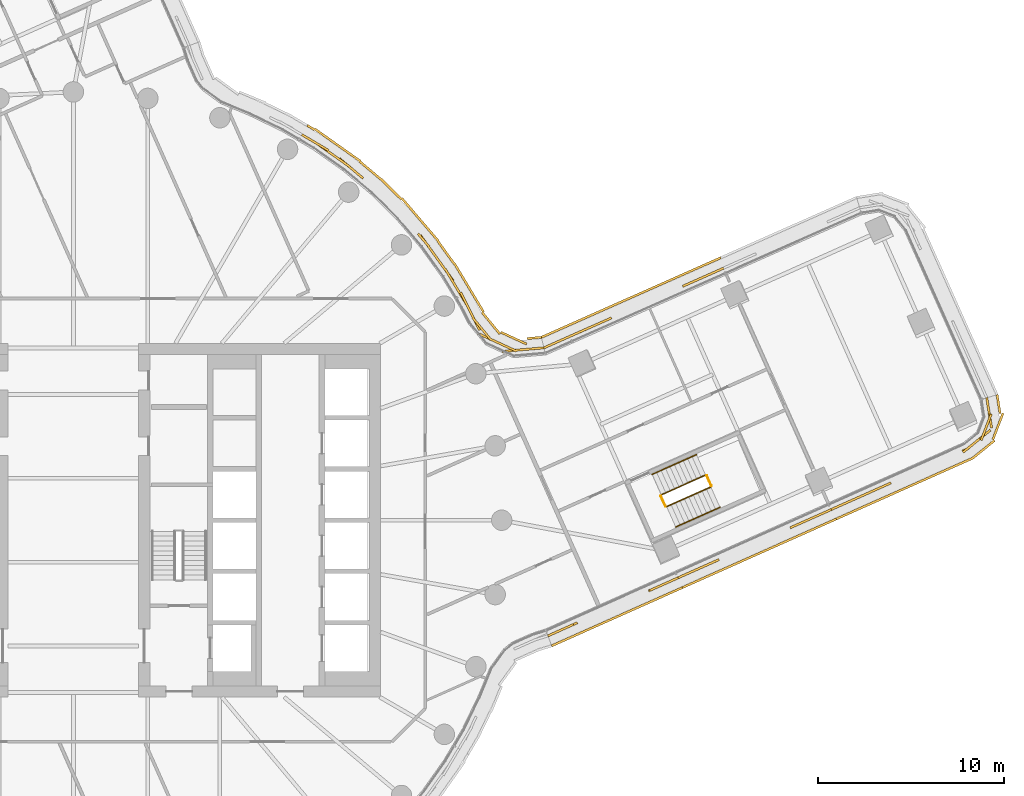
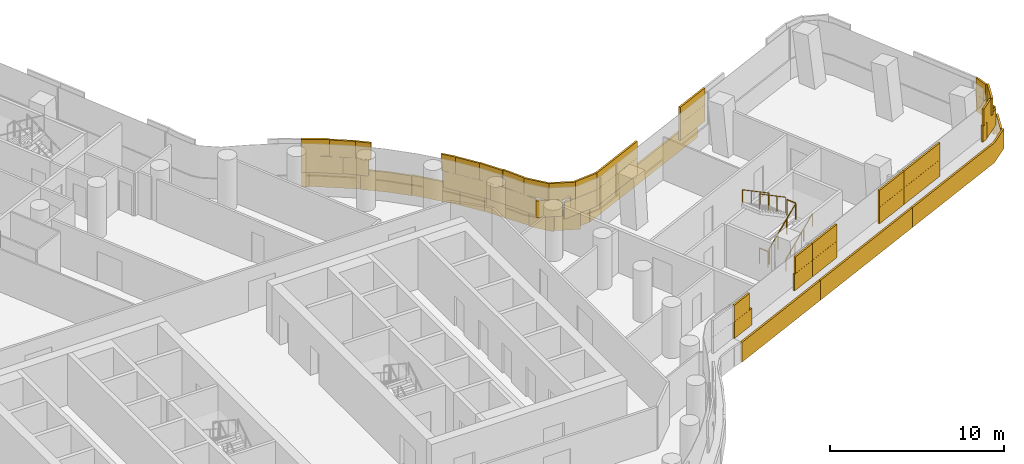
# One storey, part 32 of 35: 6 railings, 5 coverings.
"""IFC4 building model written with IfcOpenShell, lengths in metres."""

from ifc_helpers import new_model, si_unit, direction, frame, origin, origin_2d, place, context, subcontext, project, spatial, rectangle, circle, extrude, material, layer, layer_set, type_object, element, save


model = new_model("IFC4")

# Units and contexts
model_context = context("Model", 3, precision=1e-05, world=origin(), true_north=direction((0.0, 1.0)))
body_context = subcontext(model_context, "Body", "Model", "MODEL_VIEW")
ifc_project = project(units=[si_unit("LENGTHUNIT", "METRE"), si_unit("AREAUNIT", "SQUARE_METRE"), si_unit("VOLUMEUNIT", "CUBIC_METRE"), si_unit("PLANEANGLEUNIT", "RADIAN"), si_unit("MASSUNIT", "GRAM", prefix="KILO")], contexts=[model_context])

# Site, building, storey
site_placement = place(None, origin())
site = spatial("IfcSite", under=ifc_project, at=site_placement, CompositionType="ELEMENT")
building_placement = place(site_placement, origin())
building = spatial("IfcBuilding", under=site, at=building_placement, Name="Tamarind Cross Interchange Tower", CompositionType="ELEMENT")
storey_placement = place(building_placement, frame((0.0, 0.0, 121.0)))
storey = spatial("IfcBuildingStorey", under=building, at=storey_placement, Name="L29", CompositionType="ELEMENT", Elevation=121.0)

# Railings
ifc_material_1 = material(Name="Stair guard")
railing_type_1 = type_object("IfcRailingType", Name="Stair guard", PredefinedType="GUARDRAIL", material=ifc_material_1)
railing_1_placement = place(storey_placement, frame((31.858154296875, 0.7275390625, 0.17041015625)))
element("IfcRailing", 1, at=railing_1_placement, inside=storey, type_object=railing_type_1, Name="L29 ST3 stair guard 1", PredefinedType="GUARDRAIL", context=body_context, shape_type="SweptSolid", body=[
    extrude(circle(Radius=0.02392578125, at=origin_2d()), frame((0.0, 0.0, 1.076171875), z_axis=(0.763818924751, 0.340565711591, 0.548266036045), x_axis=(-0.407227178264, 0.913326899463, 0.0)), (0.0, 0.0, 1.0), 3.109130859375),
    extrude(circle(Radius=0.02099609375, at=origin_2d()), origin(), (0.0, 0.0, 1.0), 1.052001953125),
    extrude(circle(Radius=0.02099609375, at=origin_2d()), frame((0.79150390625, 0.35302734375, 0.568115234375)), (0.0, 0.0, 1.0), 1.052001953125),
    extrude(circle(Radius=0.02099609375, at=origin_2d()), frame((1.583251953125, 0.705810546875, 1.136474609375)), (0.0, 0.0, 1.0), 1.052001953125),
    extrude(circle(Radius=0.02099609375, at=origin_2d()), frame((2.374755859375, 1.058837890625, 1.70458984375)), (0.0, 0.0, 1.0), 1.052001953125),
])
railing_2_placement = place(storey_placement, frame((34.258056640625, 1.852294921875, 1.875)))
element("IfcRailing", 2, at=railing_2_placement, inside=storey, type_object=railing_type_1, Name="L29 ST3 stair guard 2", PredefinedType="GUARDRAIL", context=body_context, shape_type="SweptSolid", body=[
    extrude(circle(Radius=0.02392578125, at=origin_2d()), frame((0.0, 0.0, 1.076171875), z_axis=(-0.407232830193, 0.913324379404, 0.0), x_axis=(-0.913324379404, -0.407232830193, 0.0)), (0.0, 0.0, 1.0), 0.60009765625),
    extrude(circle(Radius=0.02099609375, at=origin_2d()), origin(), (0.0, 0.0, 1.0), 1.052001953125),
    extrude(circle(Radius=0.02099609375, at=origin_2d()), frame((-0.244384765625, 0.548095703125, 0.0)), (0.0, 0.0, 1.0), 1.052001953125),
])
railing_3_placement = place(storey_placement, frame((33.94775390625, 2.425537109375, 2.04541015625)))
element("IfcRailing", 3, at=railing_3_placement, inside=storey, type_object=railing_type_1, Name="L29 ST3 stair guard 3", PredefinedType="GUARDRAIL", context=body_context, shape_type="SweptSolid", body=[
    extrude(circle(Radius=0.02392578125, at=origin_2d()), frame((0.0, 0.0, 1.076171875), z_axis=(-0.763839350133, -0.340496290961, 0.548280697299), x_axis=(0.407148848875, -0.913361820343, 0.0)), (0.0, 0.0, 1.0), 3.10888671875),
    extrude(circle(Radius=0.02099609375, at=origin_2d()), origin(), (0.0, 0.0, 1.0), 1.052001953125),
    extrude(circle(Radius=0.02099609375, at=origin_2d()), frame((-0.79150390625, -0.352783203125, 0.568115234375)), (0.0, 0.0, 1.0), 1.052001953125),
    extrude(circle(Radius=0.02099609375, at=origin_2d()), frame((-1.583251953125, -0.705810546875, 1.136474609375)), (0.0, 0.0, 1.0), 1.052001953125),
    extrude(circle(Radius=0.02099609375, at=origin_2d()), frame((-2.374755859375, -1.05859375, 1.70458984375)), (0.0, 0.0, 1.0), 1.052001953125),
])
railing_4_placement = place(storey_placement, frame((31.792236328125, 0.7529296875, 0.0)))
element("IfcRailing", 4, at=railing_4_placement, inside=storey, type_object=railing_type_1, Name="L29 ST3 stair guard 4", PredefinedType="GUARDRAIL", context=body_context, shape_type="SweptSolid", body=[
    extrude(circle(Radius=0.02392578125, at=origin_2d()), frame((0.0, 0.0, 1.076171875), z_axis=(-0.407384193945, 0.913256874337, 0.0), x_axis=(-0.913256874337, -0.407384193945, 0.0)), (0.0, 0.0, 1.0), 0.599853515625),
    extrude(circle(Radius=0.02099609375, at=origin_2d()), origin(), (0.0, 0.0, 1.0), 1.052001953125),
    extrude(circle(Radius=0.02099609375, at=origin_2d()), frame((-0.244384765625, 0.5478515625, 0.0)), (0.0, 0.0, 1.0), 1.052001953125),
])
ifc_material_2 = material(Name="Stair handrail")
railing_type_2 = type_object("IfcRailingType", Name="Stair handrail", PredefinedType="HANDRAIL", material=ifc_material_2)
railing_5_placement = place(storey_placement, frame((32.346923828125, -0.368408203125, 0.17041015625)))
element("IfcRailing", 5, at=railing_5_placement, inside=storey, type_object=railing_type_2, Name="L29 ST3 stair handrail 1", PredefinedType="HANDRAIL", context=body_context, shape_type="SweptSolid", body=[
    extrude(circle(Radius=0.02392578125, at=origin_2d()), frame((0.0, 0.0, 0.8759765625), z_axis=(0.763806636502, 0.340516715594, 0.548313585858), x_axis=(-0.407183770428, 0.913346252579, 0.0)), (0.0, 0.0, 1.0), 3.10888671875),
    extrude(circle(Radius=0.02099609375, at=origin_2d()), origin(), (0.0, 0.0, 1.0), 0.851806640625),
    extrude(circle(Radius=0.02099609375, at=origin_2d()), frame((0.79150390625, 0.352783203125, 0.568115234375)), (0.0, 0.0, 1.0), 0.851806640625),
    extrude(circle(Radius=0.02099609375, at=origin_2d()), frame((1.5830078125, 0.705810546875, 1.136474609375)), (0.0, 0.0, 1.0), 0.851806640625),
    extrude(circle(Radius=0.02099609375, at=origin_2d()), frame((2.37451171875, 1.05859375, 1.70458984375)), (0.0, 0.0, 1.0), 0.851806640625),
])
railing_6_placement = place(storey_placement, frame((33.458984375, 3.521484375, 2.04541015625)))
element("IfcRailing", 6, at=railing_6_placement, inside=storey, type_object=railing_type_2, Name="L29 ST3 stair handrail 2", PredefinedType="HANDRAIL", context=body_context, shape_type="SweptSolid", body=[
    extrude(circle(Radius=0.02392578125, at=origin_2d()), frame((0.0, 0.0, 0.8759765625), z_axis=(-0.763806636502, -0.340516715594, 0.548313585858), x_axis=(0.407183770428, -0.913346252579, 0.0)), (0.0, 0.0, 1.0), 3.10888671875),
    extrude(circle(Radius=0.02099609375, at=origin_2d()), origin(), (0.0, 0.0, 1.0), 0.851806640625),
    extrude(circle(Radius=0.02099609375, at=origin_2d()), frame((-0.79150390625, -0.352783203125, 0.568115234375)), (0.0, 0.0, 1.0), 0.851806640625),
    extrude(circle(Radius=0.02099609375, at=origin_2d()), frame((-1.5830078125, -0.705810546875, 1.136474609375)), (0.0, 0.0, 1.0), 0.851806640625),
    extrude(circle(Radius=0.02099609375, at=origin_2d()), frame((-2.37451171875, -1.05859375, 1.70458984375)), (0.0, 0.0, 1.0), 0.851806640625),
])

# Coverings
ifc_material_3 = material(Name="Terracotta", Category="masonry")
ifc_layer = layer(ifc_material_3, 0.1201171875)
ifc_layer_set = layer_set([ifc_layer], Name="Terracotta")
covering_type = type_object("IfcCoveringType", Name="Terracotta baguette screen unit", PredefinedType="MOLDING", material=ifc_layer_set)
covering_1_placement = place(storey_placement, origin())
element("IfcCovering", 7, at=covering_1_placement, inside=storey, type_object=covering_type, Name="SCR-L29-07-00", PredefinedType="MOLDING", context=body_context, shape_type="SweptSolid", body=[
    extrude(rectangle(XDim=0.760009765625, YDim=0.1201171875, at=origin_2d()), frame((25.825927734375, -6.056884765625, 1.404052734375), z_axis=(0.0, 0.0, 1.0), x_axis=(0.913329522698, 0.407221294835, 0.0)), (0.0, 0.0, 1.0), 1.1669921875),
    extrude(rectangle(XDim=0.983642578125, YDim=0.1201171875, at=origin_2d()), frame((26.613037109375, -5.7060546875, 1.404052734375), z_axis=(0.0, 0.0, 1.0), x_axis=(0.913329522698, 0.407221294835, 0.0)), (0.0, 0.0, 1.0), 1.1669921875),
    extrude(rectangle(XDim=0.83642578125, YDim=0.1201171875, at=origin_2d()), frame((31.27099609375, -3.629150390625, 1.404052734375), z_axis=(0.0, 0.0, 1.0), x_axis=(0.913329522698, 0.407221294835, 0.0)), (0.0, 0.0, 1.0), 1.1669921875),
    extrude(rectangle(XDim=0.906982421875, YDim=0.1201171875, at=origin_2d()), frame((32.05810546875, -3.2783203125, 1.404052734375), z_axis=(0.0, 0.0, 1.0), x_axis=(0.913329522698, 0.407221294835, 0.0)), (0.0, 0.0, 1.0), 1.1669921875),
    extrude(rectangle(XDim=1.510009765625, YDim=0.1201171875, at=origin_2d()), frame((26.16845703125, -5.904296875, 2.5791015625), z_axis=(0.0, 0.0, 1.0), x_axis=(0.913329522698, 0.407221294835, 0.0)), (0.0, 0.0, 1.0), 1.1669921875),
    extrude(rectangle(XDim=1.52001953125, YDim=0.1201171875, at=origin_2d()), frame((31.6484375, -3.4609375, 2.5791015625), z_axis=(0.0, 0.0, 1.0), x_axis=(0.913329522698, 0.407221294835, 0.0)), (0.0, 0.0, 1.0), 1.1669921875),
    extrude(rectangle(XDim=0.156982421875, YDim=0.1201171875, at=origin_2d()), frame((32.400634765625, -3.12548828125, 2.5791015625), z_axis=(0.0, 0.0, 1.0), x_axis=(0.913329522698, 0.407221294835, 0.0)), (0.0, 0.0, 1.0), 1.1669921875),
    extrude(rectangle(XDim=0.760009765625, YDim=0.1201171875, at=origin_2d()), frame((26.03271484375, -6.59326171875, 0.00390625), z_axis=(0.0, 0.0, 1.0), x_axis=(0.913329522698, 0.407221294835, 0.0)), (0.0, 0.0, 1.0), 1.39208984375),
    extrude(rectangle(XDim=1.52001953125, YDim=0.1201171875, at=origin_2d()), frame((27.0556640625, -6.13720703125, 0.00390625), z_axis=(0.0, 0.0, 1.0), x_axis=(0.913329522698, 0.407221294835, 0.0)), (0.0, 0.0, 1.0), 1.39208984375),
    extrude(rectangle(XDim=1.52001953125, YDim=0.1201171875, at=origin_2d()), frame((28.425537109375, -5.5263671875, 0.00390625), z_axis=(0.0, 0.0, 1.0), x_axis=(0.913329522698, 0.407221294835, 0.0)), (0.0, 0.0, 1.0), 1.39208984375),
    extrude(rectangle(XDim=1.52001953125, YDim=0.1201171875, at=origin_2d()), frame((29.795654296875, -4.91552734375, 0.00390625), z_axis=(0.0, 0.0, 1.0), x_axis=(0.913329522698, 0.407221294835, 0.0)), (0.0, 0.0, 1.0), 1.39208984375),
    extrude(rectangle(XDim=1.52001953125, YDim=0.1201171875, at=origin_2d()), frame((31.16552734375, -4.3046875, 0.00390625), z_axis=(0.0, 0.0, 1.0), x_axis=(0.913329522698, 0.407221294835, 0.0)), (0.0, 0.0, 1.0), 1.39208984375),
    extrude(rectangle(XDim=0.941162109375, YDim=0.1201171875, at=origin_2d()), frame((32.271240234375, -3.811767578125, 0.00390625), z_axis=(0.0, 0.0, 1.0), x_axis=(0.913329522698, 0.407221294835, 0.0)), (0.0, 0.0, 1.0), 1.39208984375),
])
covering_2_placement = place(storey_placement, origin())
element("IfcCovering", 8, at=covering_2_placement, inside=storey, type_object=covering_type, Name="SCR-L29-07-01", PredefinedType="MOLDING", context=body_context, shape_type="SweptSolid", body=[
    extrude(rectangle(XDim=0.613037109375, YDim=0.1201171875, at=origin_2d()), frame((32.7431640625, -2.972900390625, 1.404052734375), z_axis=(0.0, 0.0, 1.0), x_axis=(0.913329522698, 0.407221294835, 0.0)), (0.0, 0.0, 1.0), 1.1669921875),
    extrude(rectangle(XDim=1.52001953125, YDim=0.1201171875, at=origin_2d()), frame((33.703369140625, -2.544677734375, 1.404052734375), z_axis=(0.0, 0.0, 1.0), x_axis=(0.913329522698, 0.407221294835, 0.0)), (0.0, 0.0, 1.0), 1.1669921875),
    extrude(rectangle(XDim=0.310302734375, YDim=0.1201171875, at=origin_2d()), frame((34.525634765625, -2.17822265625, 1.404052734375), z_axis=(0.0, 0.0, 1.0), x_axis=(0.913329522698, 0.407221294835, 0.0)), (0.0, 0.0, 1.0), 1.1669921875),
    extrude(rectangle(XDim=1.509765625, YDim=0.1201171875, at=origin_2d()), frame((39.18359375, -0.101318359375, 1.404052734375), z_axis=(0.0, 0.0, 1.0), x_axis=(0.913329522698, 0.407221294835, 0.0)), (0.0, 0.0, 1.0), 1.1669921875),
    extrude(rectangle(XDim=0.913330078125, YDim=0.1201171875, at=origin_2d()), frame((40.281005859375, 0.387939453125, 1.404052734375), z_axis=(0.0, 0.0, 1.0), x_axis=(0.913329522698, 0.407221294835, 0.0)), (0.0, 0.0, 1.0), 1.1669921875),
    extrude(rectangle(XDim=1.363037109375, YDim=0.1201171875, at=origin_2d()), frame((33.085693359375, -2.820068359375, 2.5791015625), z_axis=(0.0, 0.0, 1.0), x_axis=(0.913329522698, 0.407221294835, 0.0)), (0.0, 0.0, 1.0), 1.1669921875),
    extrude(rectangle(XDim=1.060302734375, YDim=0.1201171875, at=origin_2d()), frame((34.18310546875, -2.330810546875, 2.5791015625), z_axis=(0.0, 0.0, 1.0), x_axis=(0.913329522698, 0.407221294835, 0.0)), (0.0, 0.0, 1.0), 1.1669921875),
    extrude(rectangle(XDim=0.759765625, YDim=0.1201171875, at=origin_2d()), frame((38.841064453125, -0.25390625, 2.5791015625), z_axis=(0.0, 0.0, 1.0), x_axis=(0.913329522698, 0.407221294835, 0.0)), (0.0, 0.0, 1.0), 1.1669921875),
    extrude(rectangle(XDim=1.52001953125, YDim=0.1201171875, at=origin_2d()), frame((39.868408203125, 0.2041015625, 2.5791015625), z_axis=(0.0, 0.0, 1.0), x_axis=(0.913329522698, 0.407221294835, 0.0)), (0.0, 0.0, 1.0), 1.1669921875),
    extrude(rectangle(XDim=0.163330078125, YDim=0.1201171875, at=origin_2d()), frame((40.62353515625, 0.540771484375, 2.5791015625), z_axis=(0.0, 0.0, 1.0), x_axis=(0.913329522698, 0.407221294835, 0.0)), (0.0, 0.0, 1.0), 1.1669921875),
    extrude(rectangle(XDim=0.578857421875, YDim=0.1201171875, at=origin_2d()), frame((32.96533203125, -3.502197265625, 0.00390625), z_axis=(0.0, 0.0, 1.0), x_axis=(0.913329522698, 0.407221294835, 0.0)), (0.0, 0.0, 1.0), 1.39208984375),
    extrude(rectangle(XDim=1.52001953125, YDim=0.1201171875, at=origin_2d()), frame((33.905517578125, -3.0830078125, 0.00390625), z_axis=(0.0, 0.0, 1.0), x_axis=(0.913329522698, 0.407221294835, 0.0)), (0.0, 0.0, 1.0), 1.39208984375),
    extrude(rectangle(XDim=1.52001953125, YDim=0.1201171875, at=origin_2d()), frame((35.275634765625, -2.47216796875, 0.00390625), z_axis=(0.0, 0.0, 1.0), x_axis=(0.913329522698, 0.407221294835, 0.0)), (0.0, 0.0, 1.0), 1.39208984375),
    extrude(rectangle(XDim=1.52001953125, YDim=0.1201171875, at=origin_2d()), frame((36.6455078125, -1.861328125, 0.00390625), z_axis=(0.0, 0.0, 1.0), x_axis=(0.913329522698, 0.407221294835, 0.0)), (0.0, 0.0, 1.0), 1.39208984375),
    extrude(rectangle(XDim=1.52001953125, YDim=0.1201171875, at=origin_2d()), frame((38.015625, -1.25048828125, 0.00390625), z_axis=(0.0, 0.0, 1.0), x_axis=(0.913329522698, 0.407221294835, 0.0)), (0.0, 0.0, 1.0), 1.39208984375),
    extrude(rectangle(XDim=1.52001953125, YDim=0.1201171875, at=origin_2d()), frame((39.385498046875, -0.6396484375, 0.00390625), z_axis=(0.0, 0.0, 1.0), x_axis=(0.913329522698, 0.407221294835, 0.0)), (0.0, 0.0, 1.0), 1.39208984375),
    extrude(rectangle(XDim=0.98779296875, YDim=0.1201171875, at=origin_2d()), frame((40.512451171875, -0.13720703125, 0.00390625), z_axis=(0.0, 0.0, 1.0), x_axis=(0.913329522698, 0.407221294835, 0.0)), (0.0, 0.0, 1.0), 1.39208984375),
])
covering_3_placement = place(storey_placement, origin())
element("IfcCovering", 9, at=covering_3_placement, inside=storey, type_object=covering_type, Name="SCR-L29-07-02", PredefinedType="MOLDING", context=body_context, shape_type="SweptSolid", body=[
    extrude(rectangle(XDim=0.606689453125, YDim=0.1201171875, at=origin_2d()), frame((40.9658203125, 0.693359375, 1.404052734375), z_axis=(0.0, 0.0, 1.0), x_axis=(0.913329522698, 0.407221294835, 0.0)), (0.0, 0.0, 1.0), 1.1669921875),
    extrude(rectangle(XDim=1.52001953125, YDim=0.1201171875, at=origin_2d()), frame((41.92333984375, 1.120361328125, 1.404052734375), z_axis=(0.0, 0.0, 1.0), x_axis=(0.913329522698, 0.407221294835, 0.0)), (0.0, 0.0, 1.0), 1.1669921875),
    extrude(rectangle(XDim=1.425048828125, YDim=0.1201171875, at=origin_2d()), frame((43.254638671875, 1.7138671875, 1.404052734375), z_axis=(0.0, 0.0, 1.0), x_axis=(0.913329522698, 0.407221294835, 0.0)), (0.0, 0.0, 1.0), 1.1669921875),
    extrude(rectangle(XDim=0.39501953125, YDim=0.1201171875, at=origin_2d()), frame((47.91259765625, 3.790771484375, 1.404052734375), z_axis=(0.0, 0.0, 1.0), x_axis=(0.913329522698, 0.407221294835, 0.0)), (0.0, 0.0, 1.0), 1.1669921875),
    extrude(rectangle(XDim=1.52001953125, YDim=0.1201171875, at=origin_2d()), frame((48.657470703125, 4.363525390625, 1.404052734375), z_axis=(0.0, 0.0, 1.0), x_axis=(0.776811947212, 0.629732640625, 0.0)), (0.0, 0.0, 1.0), 1.1669921875),
    extrude(rectangle(XDim=1.52001953125, YDim=0.1201171875, at=origin_2d()), frame((49.186767578125, 5.707275390625, 1.404052734375), z_axis=(0.0, 0.0, 1.0), x_axis=(-0.156958490768, 0.987605200561, 0.0)), (0.0, 0.0, 1.0), 1.1669921875),
    extrude(rectangle(XDim=0.136474609375, YDim=0.1201171875, at=origin_2d()), frame((49.05908203125, 6.510498046875, 1.404052734375), z_axis=(0.0, 0.0, 1.0), x_axis=(-0.156958490768, 0.987605200561, 0.0)), (0.0, 0.0, 1.0), 1.1669921875),
    extrude(rectangle(XDim=1.356689453125, YDim=0.1201171875, at=origin_2d()), frame((41.308349609375, 0.84619140625, 2.5791015625), z_axis=(0.0, 0.0, 1.0), x_axis=(0.913329522698, 0.407221294835, 0.0)), (0.0, 0.0, 1.0), 1.1669921875),
    extrude(rectangle(XDim=1.52001953125, YDim=0.1201171875, at=origin_2d()), frame((42.6083984375, 1.42578125, 2.5791015625), z_axis=(0.0, 0.0, 1.0), x_axis=(0.913329522698, 0.407221294835, 0.0)), (0.0, 0.0, 1.0), 1.1669921875),
    extrude(rectangle(XDim=0.675048828125, YDim=0.1201171875, at=origin_2d()), frame((43.596923828125, 1.866455078125, 2.5791015625), z_axis=(0.0, 0.0, 1.0), x_axis=(0.913329522698, 0.407221294835, 0.0)), (0.0, 0.0, 1.0), 1.1669921875),
    extrude(rectangle(XDim=1.14501953125, YDim=0.1201171875, at=origin_2d()), frame((48.216552734375, 4.006103515625, 2.5791015625), z_axis=(0.0, 0.0, 1.0), x_axis=(0.776811947212, 0.629732640625, 0.0)), (0.0, 0.0, 1.0), 1.1669921875),
    extrude(rectangle(XDim=1.52001953125, YDim=0.1201171875, at=origin_2d()), frame((49.018798828125, 4.996337890625, 2.5791015625), z_axis=(0.0, 0.0, 1.0), x_axis=(0.357872559936, 0.93377043798, 0.0)), (0.0, 0.0, 1.0), 1.1669921875),
    extrude(rectangle(XDim=0.886474609375, YDim=0.1201171875, at=origin_2d()), frame((49.1181640625, 6.14013671875, 2.5791015625), z_axis=(0.0, 0.0, 1.0), x_axis=(-0.156958490768, 0.987605200561, 0.0)), (0.0, 0.0, 1.0), 1.1669921875),
    extrude(rectangle(XDim=0.5322265625, YDim=0.1201171875, at=origin_2d()), frame((41.20654296875, 0.17236328125, 0.00390625), z_axis=(0.0, 0.0, 1.0), x_axis=(0.913329522698, 0.407221294835, 0.0)), (0.0, 0.0, 1.0), 1.39208984375),
    extrude(rectangle(XDim=1.52001953125, YDim=0.1201171875, at=origin_2d()), frame((42.12548828125, 0.58203125, 0.00390625), z_axis=(0.0, 0.0, 1.0), x_axis=(0.913329522698, 0.407221294835, 0.0)), (0.0, 0.0, 1.0), 1.39208984375),
    extrude(rectangle(XDim=1.52001953125, YDim=0.1201171875, at=origin_2d()), frame((43.49560546875, 1.19287109375, 0.00390625), z_axis=(0.0, 0.0, 1.0), x_axis=(0.913329522698, 0.407221294835, 0.0)), (0.0, 0.0, 1.0), 1.39208984375),
    extrude(rectangle(XDim=1.52001953125, YDim=0.1201171875, at=origin_2d()), frame((44.865478515625, 1.8037109375, 0.00390625), z_axis=(0.0, 0.0, 1.0), x_axis=(0.913329522698, 0.407221294835, 0.0)), (0.0, 0.0, 1.0), 1.39208984375),
    extrude(rectangle(XDim=1.52001953125, YDim=0.1201171875, at=origin_2d()), frame((46.235595703125, 2.41455078125, 0.00390625), z_axis=(0.0, 0.0, 1.0), x_axis=(0.913329522698, 0.407221294835, 0.0)), (0.0, 0.0, 1.0), 1.39208984375),
    extrude(rectangle(XDim=1.52001953125, YDim=0.1201171875, at=origin_2d()), frame((47.60546875, 3.025390625, 0.00390625), z_axis=(0.0, 0.0, 1.0), x_axis=(0.913329522698, 0.407221294835, 0.0)), (0.0, 0.0, 1.0), 1.39208984375),
    extrude(rectangle(XDim=1.52001953125, YDim=0.1201171875, at=origin_2d()), frame((48.87451171875, 3.800537109375, 0.00390625), z_axis=(0.0, 0.0, 1.0), x_axis=(0.776811947212, 0.629732640625, 0.0)), (0.0, 0.0, 1.0), 1.39208984375),
    extrude(rectangle(XDim=1.52001953125, YDim=0.1201171875, at=origin_2d()), frame((49.646484375, 5.03076171875, 0.00390625), z_axis=(0.0, 0.0, 1.0), x_axis=(0.357872559936, 0.93377043798, 0.0)), (0.0, 0.0, 1.0), 1.39208984375),
    extrude(rectangle(XDim=1.012939453125, YDim=0.1201171875, at=origin_2d()), frame((49.683837890625, 6.2373046875, 0.00390625), z_axis=(0.0, 0.0, 1.0), x_axis=(-0.156958490768, 0.987605200561, 0.0)), (0.0, 0.0, 1.0), 1.39208984375),
])
covering_4_placement = place(storey_placement, origin())
element("IfcCovering", 10, at=covering_4_placement, inside=storey, type_object=covering_type, Name="SCR-L29-09-01", PredefinedType="MOLDING", context=body_context, shape_type="SweptSolid", body=[
    extrude(rectangle(XDim=0.27001953125, YDim=0.1201171875, at=origin_2d()), frame((34.801025390625, 13.48583984375, 1.404052734375), z_axis=(0.0, 0.0, 1.0), x_axis=(-0.914040185221, -0.40562364305, 0.0)), (0.0, 0.0, 1.0), 1.1669921875),
    extrude(rectangle(XDim=1.52001953125, YDim=0.1201171875, at=origin_2d()), frame((33.996826171875, 13.12890625, 1.404052734375), z_axis=(0.0, 0.0, 1.0), x_axis=(-0.914040185221, -0.40562364305, 0.0)), (0.0, 0.0, 1.0), 1.1669921875),
    extrude(rectangle(XDim=0.649169921875, YDim=0.1201171875, at=origin_2d()), frame((33.01904296875, 12.695068359375, 1.404052734375), z_axis=(0.0, 0.0, 1.0), x_axis=(-0.914040185221, -0.40562364305, 0.0)), (0.0, 0.0, 1.0), 1.1669921875),
    extrude(rectangle(XDim=1.170654296875, YDim=0.1201171875, at=origin_2d()), frame((28.357421875, 10.62646484375, 1.404052734375), z_axis=(0.0, 0.0, 1.0), x_axis=(-0.914040185221, -0.40562364305, 0.0)), (0.0, 0.0, 1.0), 1.1669921875),
    extrude(rectangle(XDim=1.52001953125, YDim=0.1201171875, at=origin_2d()), frame((27.1416015625, 10.086669921875, 1.404052734375), z_axis=(0.0, 0.0, 1.0), x_axis=(-0.914040185221, -0.40562364305, 0.0)), (0.0, 0.0, 1.0), 1.1669921875),
    extrude(rectangle(XDim=1.305908203125, YDim=0.1201171875, at=origin_2d()), frame((25.86376953125, 9.519775390625, 1.404052734375), z_axis=(0.0, 0.0, 1.0), x_axis=(-0.914040185221, -0.40562364305, 0.0)), (0.0, 0.0, 1.0), 1.1669921875),
    extrude(rectangle(XDim=1.02001953125, YDim=0.1201171875, at=origin_2d()), frame((34.458251953125, 13.333740234375, 2.5791015625), z_axis=(0.0, 0.0, 1.0), x_axis=(-0.914040185221, -0.40562364305, 0.0)), (0.0, 0.0, 1.0), 1.1669921875),
    extrude(rectangle(XDim=1.399169921875, YDim=0.1201171875, at=origin_2d()), frame((33.36181640625, 12.84716796875, 2.5791015625), z_axis=(0.0, 0.0, 1.0), x_axis=(-0.914040185221, -0.40562364305, 0.0)), (0.0, 0.0, 1.0), 1.1669921875),
    extrude(rectangle(XDim=0.420654296875, YDim=0.1201171875, at=origin_2d()), frame((28.7001953125, 10.778564453125, 2.5791015625), z_axis=(0.0, 0.0, 1.0), x_axis=(-0.914040185221, -0.40562364305, 0.0)), (0.0, 0.0, 1.0), 1.1669921875),
    extrude(rectangle(XDim=1.52001953125, YDim=0.1201171875, at=origin_2d()), frame((27.8271484375, 10.39111328125, 2.5791015625), z_axis=(0.0, 0.0, 1.0), x_axis=(-0.914040185221, -0.40562364305, 0.0)), (0.0, 0.0, 1.0), 1.1669921875),
    extrude(rectangle(XDim=1.52001953125, YDim=0.1201171875, at=origin_2d()), frame((26.4560546875, 9.782470703125, 2.5791015625), z_axis=(0.0, 0.0, 1.0), x_axis=(-0.914040185221, -0.40562364305, 0.0)), (0.0, 0.0, 1.0), 1.1669921875),
    extrude(rectangle(XDim=0.555908203125, YDim=0.1201171875, at=origin_2d()), frame((25.52099609375, 9.36767578125, 2.5791015625), z_axis=(0.0, 0.0, 1.0), x_axis=(-0.914040185221, -0.40562364305, 0.0)), (0.0, 0.0, 1.0), 1.1669921875),
    extrude(rectangle(XDim=0.279052734375, YDim=0.1201171875, at=origin_2d()), frame((34.636474609375, 14.040771484375, 0.00390625), z_axis=(0.0, 0.0, 1.0), x_axis=(-0.914040185221, -0.40562364305, 0.0)), (0.0, 0.0, 1.0), 1.39208984375),
    extrude(rectangle(XDim=1.52001953125, YDim=0.1201171875, at=origin_2d()), frame((33.83251953125, 13.68408203125, 0.00390625), z_axis=(0.0, 0.0, 1.0), x_axis=(-0.914040185221, -0.40562364305, 0.0)), (0.0, 0.0, 1.0), 1.39208984375),
    extrude(rectangle(XDim=1.52001953125, YDim=0.1201171875, at=origin_2d()), frame((32.46142578125, 13.07568359375, 0.00390625), z_axis=(0.0, 0.0, 1.0), x_axis=(-0.914040185221, -0.40562364305, 0.0)), (0.0, 0.0, 1.0), 1.39208984375),
    extrude(rectangle(XDim=1.52001953125, YDim=0.1201171875, at=origin_2d()), frame((31.090576171875, 12.46728515625, 0.00390625), z_axis=(0.0, 0.0, 1.0), x_axis=(-0.914040185221, -0.40562364305, 0.0)), (0.0, 0.0, 1.0), 1.39208984375),
    extrude(rectangle(XDim=1.52001953125, YDim=0.1201171875, at=origin_2d()), frame((29.719482421875, 11.85888671875, 0.00390625), z_axis=(0.0, 0.0, 1.0), x_axis=(-0.914040185221, -0.40562364305, 0.0)), (0.0, 0.0, 1.0), 1.39208984375),
    extrude(rectangle(XDim=1.52001953125, YDim=0.1201171875, at=origin_2d()), frame((28.348388671875, 11.250244140625, 0.00390625), z_axis=(0.0, 0.0, 1.0), x_axis=(-0.914040185221, -0.40562364305, 0.0)), (0.0, 0.0, 1.0), 1.39208984375),
    extrude(rectangle(XDim=1.52001953125, YDim=0.1201171875, at=origin_2d()), frame((26.977294921875, 10.641845703125, 0.00390625), z_axis=(0.0, 0.0, 1.0), x_axis=(-0.914040185221, -0.40562364305, 0.0)), (0.0, 0.0, 1.0), 1.39208984375),
    extrude(rectangle(XDim=1.28466796875, YDim=0.1201171875, at=origin_2d()), frame((25.713623046875, 10.0810546875, 0.00390625), z_axis=(0.0, 0.0, 1.0), x_axis=(-0.914040185221, -0.40562364305, 0.0)), (0.0, 0.0, 1.0), 1.39208984375),
])
covering_5_placement = place(storey_placement, origin())
element("IfcCovering", 11, at=covering_5_placement, inside=storey, type_object=covering_type, Name="SCR-L29-10-00", PredefinedType="MOLDING", context=body_context, shape_type="SweptSolid", body=[
    extrude(rectangle(XDim=0.760009765625, YDim=0.1201171875, at=origin_2d()), frame((24.89794921875, 9.224853515625, 1.404052734375), z_axis=(0.0, 0.0, 1.0), x_axis=(-0.996337424988, -0.085508687093, 0.0)), (0.0, 0.0, 1.0), 1.1669921875),
    extrude(rectangle(XDim=1.52001953125, YDim=0.1201171875, at=origin_2d()), frame((23.777099609375, 9.128662109375, 1.404052734375), z_axis=(0.0, 0.0, 1.0), x_axis=(-0.996337424988, -0.085508687093, 0.0)), (0.0, 0.0, 1.0), 1.1669921875),
    extrude(rectangle(XDim=1.52001953125, YDim=0.1201171875, at=origin_2d()), frame((22.408203125, 9.717041015625, 1.404052734375), z_axis=(0.0, 0.0, 1.0), x_axis=(-0.907727342736, 0.419560569226, 0.0)), (0.0, 0.0, 1.0), 1.1669921875),
    extrude(rectangle(XDim=1.52001953125, YDim=0.1201171875, at=origin_2d()), frame((21.470947265625, 10.881103515625, 1.404052734375), z_axis=(0.0, 0.0, 1.0), x_axis=(-0.447913566058, 0.894076863218, 0.0)), (0.0, 0.0, 1.0), 1.1669921875),
    extrude(rectangle(XDim=1.52001953125, YDim=0.1201171875, at=origin_2d()), frame((20.74853515625, 12.1943359375, 1.404052734375), z_axis=(0.0, 0.0, 1.0), x_axis=(-0.515577308909, 0.856843065292, 0.0)), (0.0, 0.0, 1.0), 1.1669921875),
    extrude(rectangle(XDim=1.52001953125, YDim=0.1201171875, at=origin_2d()), frame((19.95751953125, 13.468017578125, 1.404052734375), z_axis=(0.0, 0.0, 1.0), x_axis=(-0.584573890505, 0.811340475102, 0.0)), (0.0, 0.0, 1.0), 1.1669921875),
    extrude(rectangle(XDim=1.52001953125, YDim=0.1201171875, at=origin_2d()), frame((19.080810546875, 14.68505859375, 1.404052734375), z_axis=(0.0, 0.0, 1.0), x_axis=(-0.584573890505, 0.811340475102, 0.0)), (0.0, 0.0, 1.0), 1.1669921875),
    extrude(rectangle(XDim=1.52001953125, YDim=0.1201171875, at=origin_2d()), frame((14.87060546875, 18.937744140625, 1.404052734375), z_axis=(0.0, 0.0, 1.0), x_axis=(-0.765858396687, 0.643009266048, 0.0)), (0.0, 0.0, 1.0), 1.1669921875),
    extrude(rectangle(XDim=1.52001953125, YDim=0.1201171875, at=origin_2d()), frame((13.656494140625, 19.817626953125, 1.404052734375), z_axis=(0.0, 0.0, 1.0), x_axis=(-0.816341886298, 0.577568978284, 0.0)), (0.0, 0.0, 1.0), 1.1669921875),
    extrude(rectangle(XDim=0.912353515625, YDim=0.1201171875, at=origin_2d()), frame((12.6533203125, 20.476318359375, 1.404052734375), z_axis=(0.0, 0.0, 1.0), x_axis=(-0.861248933065, 0.508183308752, 0.0)), (0.0, 0.0, 1.0), 1.1669921875),
    extrude(rectangle(XDim=1.510009765625, YDim=0.1201171875, at=origin_2d()), frame((24.524169921875, 9.19287109375, 2.5791015625), z_axis=(0.0, 0.0, 1.0), x_axis=(-0.996337424988, -0.085508687093, 0.0)), (0.0, 0.0, 1.0), 1.1669921875),
    extrude(rectangle(XDim=1.52001953125, YDim=0.1201171875, at=origin_2d()), frame((23.089111328125, 9.40234375, 2.5791015625), z_axis=(0.0, 0.0, 1.0), x_axis=(-0.907727342736, 0.419560569226, 0.0)), (0.0, 0.0, 1.0), 1.1669921875),
    extrude(rectangle(XDim=1.52001953125, YDim=0.1201171875, at=origin_2d()), frame((21.9248046875, 10.287109375, 2.5791015625), z_axis=(0.0, 0.0, 1.0), x_axis=(-0.634386155659, 0.77301630352, 0.0)), (0.0, 0.0, 1.0), 1.1669921875),
    extrude(rectangle(XDim=1.52001953125, YDim=0.1201171875, at=origin_2d()), frame((21.135009765625, 11.5517578125, 2.5791015625), z_axis=(0.0, 0.0, 1.0), x_axis=(-0.447913566058, 0.894076863218, 0.0)), (0.0, 0.0, 1.0), 1.1669921875),
    extrude(rectangle(XDim=1.52001953125, YDim=0.1201171875, at=origin_2d()), frame((20.36181640625, 12.837158203125, 2.5791015625), z_axis=(0.0, 0.0, 1.0), x_axis=(-0.515577308909, 0.856843065292, 0.0)), (0.0, 0.0, 1.0), 1.1669921875),
    extrude(rectangle(XDim=1.52001953125, YDim=0.1201171875, at=origin_2d()), frame((19.51904296875, 14.076416015625, 2.5791015625), z_axis=(0.0, 0.0, 1.0), x_axis=(-0.584573890505, 0.811340475102, 0.0)), (0.0, 0.0, 1.0), 1.1669921875),
    extrude(rectangle(XDim=0.91552734375, YDim=0.1201171875, at=origin_2d()), frame((18.802001953125, 15.041259765625, 2.5791015625), z_axis=(0.0, 0.0, 1.0), x_axis=(-0.64957723968, 0.760295606781, 0.0)), (0.0, 0.0, 1.0), 1.1669921875),
    extrude(rectangle(XDim=0.904541015625, YDim=0.1201171875, at=origin_2d()), frame((15.213134765625, 18.650146484375, 2.5791015625), z_axis=(0.0, 0.0, 1.0), x_axis=(-0.765858396687, 0.643009266048, 0.0)), (0.0, 0.0, 1.0), 1.1669921875),
    extrude(rectangle(XDim=1.52001953125, YDim=0.1201171875, at=origin_2d()), frame((14.268798828125, 19.38427734375, 2.5791015625), z_axis=(0.0, 0.0, 1.0), x_axis=(-0.816341886298, 0.577568978284, 0.0)), (0.0, 0.0, 1.0), 1.1669921875),
    extrude(rectangle(XDim=1.52001953125, YDim=0.1201171875, at=origin_2d()), frame((13.0419921875, 20.2470703125, 2.5791015625), z_axis=(0.0, 0.0, 1.0), x_axis=(-0.861248933065, 0.508183308752, 0.0)), (0.0, 0.0, 1.0), 1.1669921875),
    extrude(rectangle(XDim=0.162353515625, YDim=0.1201171875, at=origin_2d()), frame((12.330322265625, 20.6669921875, 2.5791015625), z_axis=(0.0, 0.0, 1.0), x_axis=(-0.861248933065, 0.508183308752, 0.0)), (0.0, 0.0, 1.0), 1.1669921875),
    extrude(rectangle(XDim=0.760009765625, YDim=0.1201171875, at=origin_2d()), frame((24.748046875, 9.7880859375, 0.00390625), z_axis=(0.0, 0.0, 1.0), x_axis=(-0.996337424988, -0.085508687093, 0.0)), (0.0, 0.0, 1.0), 1.39208984375),
    extrude(rectangle(XDim=1.52001953125, YDim=0.1201171875, at=origin_2d()), frame((23.64697265625, 9.77685546875, 0.00390625), z_axis=(0.0, 0.0, 1.0), x_axis=(-0.907727342736, 0.419560569226, 0.0)), (0.0, 0.0, 1.0), 1.39208984375),
    extrude(rectangle(XDim=1.52001953125, YDim=0.1201171875, at=origin_2d()), frame((22.42333984375, 10.584716796875, 0.00390625), z_axis=(0.0, 0.0, 1.0), x_axis=(-0.634386155659, 0.77301630352, 0.0)), (0.0, 0.0, 1.0), 1.39208984375),
    extrude(rectangle(XDim=1.52001953125, YDim=0.1201171875, at=origin_2d()), frame((21.628173828125, 11.845947265625, 0.00390625), z_axis=(0.0, 0.0, 1.0), x_axis=(-0.515577308909, 0.856843065292, 0.0)), (0.0, 0.0, 1.0), 1.39208984375),
    extrude(rectangle(XDim=1.52001953125, YDim=0.1201171875, at=origin_2d()), frame((20.854736328125, 13.131103515625, 0.00390625), z_axis=(0.0, 0.0, 1.0), x_axis=(-0.515577308909, 0.856843065292, 0.0)), (0.0, 0.0, 1.0), 1.39208984375),
    extrude(rectangle(XDim=1.52001953125, YDim=0.1201171875, at=origin_2d()), frame((20.013916015625, 14.371826171875, 0.00390625), z_axis=(0.0, 0.0, 1.0), x_axis=(-0.584573890505, 0.811340475102, 0.0)), (0.0, 0.0, 1.0), 1.39208984375),
    extrude(rectangle(XDim=1.52001953125, YDim=0.1201171875, at=origin_2d()), frame((19.1083984375, 15.56640625, 0.00390625), z_axis=(0.0, 0.0, 1.0), x_axis=(-0.64957723968, 0.760295606781, 0.0)), (0.0, 0.0, 1.0), 1.39208984375),
    extrude(rectangle(XDim=1.52001953125, YDim=0.1201171875, at=origin_2d()), frame((18.134033203125, 16.706787109375, 0.00390625), z_axis=(0.0, 0.0, 1.0), x_axis=(-0.64957723968, 0.760295606781, 0.0)), (0.0, 0.0, 1.0), 1.39208984375),
    extrude(rectangle(XDim=1.52001953125, YDim=0.1201171875, at=origin_2d()), frame((17.074462890625, 17.768310546875, 0.00390625), z_axis=(0.0, 0.0, 1.0), x_axis=(-0.710143317658, 0.704057148523, 0.0)), (0.0, 0.0, 1.0), 1.39208984375),
    extrude(rectangle(XDim=1.52001953125, YDim=0.1201171875, at=origin_2d()), frame((15.961181640625, 18.771484375, 0.00390625), z_axis=(0.0, 0.0, 1.0), x_axis=(-0.765858396687, 0.643009266048, 0.0)), (0.0, 0.0, 1.0), 1.39208984375),
    extrude(rectangle(XDim=1.52001953125, YDim=0.1201171875, at=origin_2d()), frame((14.7958984375, 19.714599609375, 0.00390625), z_axis=(0.0, 0.0, 1.0), x_axis=(-0.816341886298, 0.577568978284, 0.0)), (0.0, 0.0, 1.0), 1.39208984375),
    extrude(rectangle(XDim=1.52001953125, YDim=0.1201171875, at=origin_2d()), frame((13.5712890625, 20.5810546875, 0.00390625), z_axis=(0.0, 0.0, 1.0), x_axis=(-0.816341886298, 0.577568978284, 0.0)), (0.0, 0.0, 1.0), 1.39208984375),
    extrude(rectangle(XDim=0.448486328125, YDim=0.1201171875, at=origin_2d()), frame((12.750244140625, 21.085693359375, 0.00390625), z_axis=(0.0, 0.0, 1.0), x_axis=(-0.861248933065, 0.508183308752, 0.0)), (0.0, 0.0, 1.0), 1.39208984375),
])

save(model, "model.ifc")
